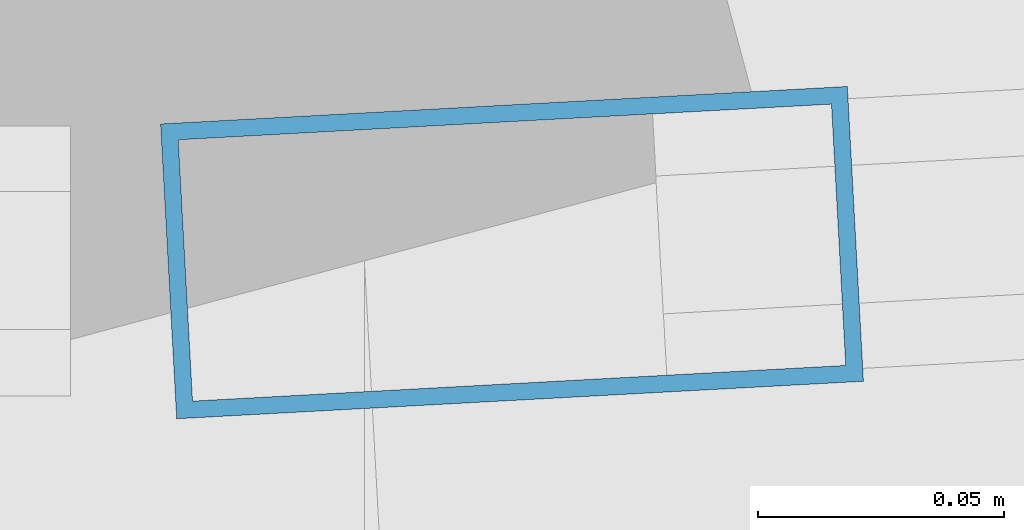
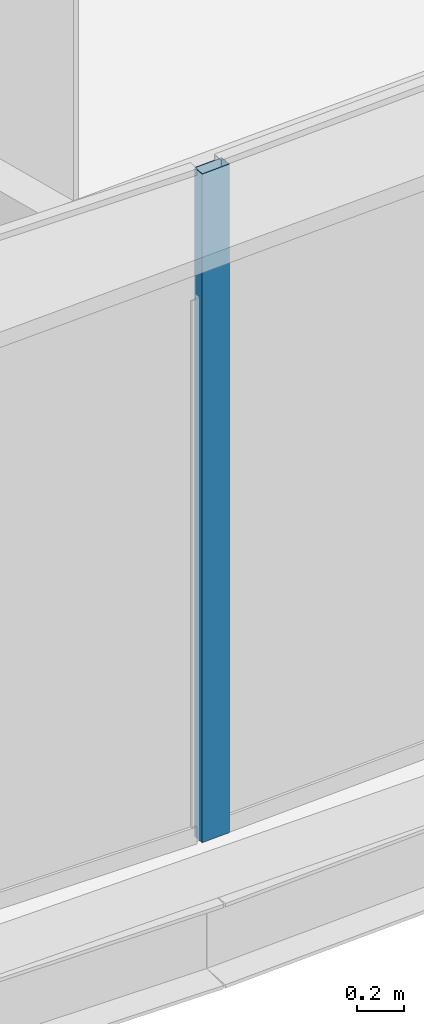
# One storey, part 10 of 36: 1 member, 1 element without a shape of its own.
"""IFC4 building model written with IfcOpenShell, lengths in metres."""

from ifc_helpers import new_model, si_unit, direction, frame, origin, origin_2d, place, context, subcontext, project, spatial, hollow_rectangle, extrude, source, transform, mapped, material, layer, layer_set, material_profile, profile_set, type_object, element, aggregate, save


model = new_model("IFC4")

# Units and contexts
model_context = context("Model", 3, precision=1e-05, world=origin(), true_north=direction((0.0, 1.0)))
body_context = subcontext(model_context, "Body", "Model", "MODEL_VIEW")
ifc_project = project(units=[si_unit("LENGTHUNIT", "METRE"), si_unit("AREAUNIT", "SQUARE_METRE"), si_unit("VOLUMEUNIT", "CUBIC_METRE"), si_unit("PLANEANGLEUNIT", "RADIAN"), si_unit("MASSUNIT", "GRAM", prefix="KILO"), si_unit("THERMODYNAMICTEMPERATUREUNIT", "KELVIN"), si_unit("POWERUNIT", "WATT")], contexts=[model_context])

# Site, building, storey
site_placement = place(None, origin())
site = spatial("IfcSite", under=ifc_project, at=site_placement, CompositionType="ELEMENT")
building_placement = place(site_placement, origin())
building = spatial("IfcBuilding", under=site, at=building_placement, Name="Yunzhuo Pagoda Commons", CompositionType="ELEMENT")
storey_placement = place(building_placement, frame((0.0, 0.0, 244.530029296875)))
storey = spatial("IfcBuildingStorey", under=building, at=storey_placement, Name="L61", CompositionType="ELEMENT", Elevation=244.530029296875)

# Curtain wall, member
ifc_material = material(Name="Anodized aluminium 6063-T6", Category="aluminium")
ifc_layer = layer(ifc_material, 0.139892578125)
ifc_layer_set = layer_set([ifc_layer], Name="Anodized aluminium 6063-T6")
curtain_wall_type = type_object("IfcCurtainWallType", Name="CW-HI High-Zone Ribbon Curtain Wall", PredefinedType="NOTDEFINED", material=ifc_layer_set)
curtain_wall_placement = place(storey_placement, origin())
curtain_wall = element("IfcCurtainWall", 1, at=curtain_wall_placement, inside=storey, type_object=curtain_wall_type, Name="L61 curtain wall CW-L61-F1B4", PredefinedType="NOTDEFINED")
ifc_material_profile = material_profile(ifc_material, hollow_rectangle(XDim=0.06005859375, YDim=0.139892578125, WallThickness=0.00341796875, at=origin_2d()), Name="Anodized aluminium 6063-T6")
ifc_profile_set = profile_set([ifc_material_profile], Name="Anodized aluminium 6063-T6")
member_type = type_object("IfcMemberType", Name="CW-HI-M Mullion RHS 140x60x3.5", PredefinedType="MULLION", material=ifc_profile_set)
shared_shape = source(origin(), body_context, "Body", "SweptSolid", [
    extrude(hollow_rectangle(XDim=0.06005859375, YDim=0.139892578125, WallThickness=0.00341796875, at=origin_2d()), origin(), (0.0, 0.0, 1.0), 3.469970703125),
])
member_placement = place(storey_placement, frame((52.673828125, 16.370361328125, 0.0), z_axis=(0.0, 0.0, 1.0), x_axis=(-0.054497194278, 0.998513923697, 0.0)))
member = element("IfcMember", 2, at=member_placement, type_object=member_type, Name="CW mullion 1", PredefinedType="MULLION", context=body_context, shape_type="MappedRepresentation", body=[
    mapped(shared_shape, transform((0.0, 0.0, 0.0), scale=1.0)),
])
aggregate(curtain_wall, [member])

save(model, "model.ifc")
